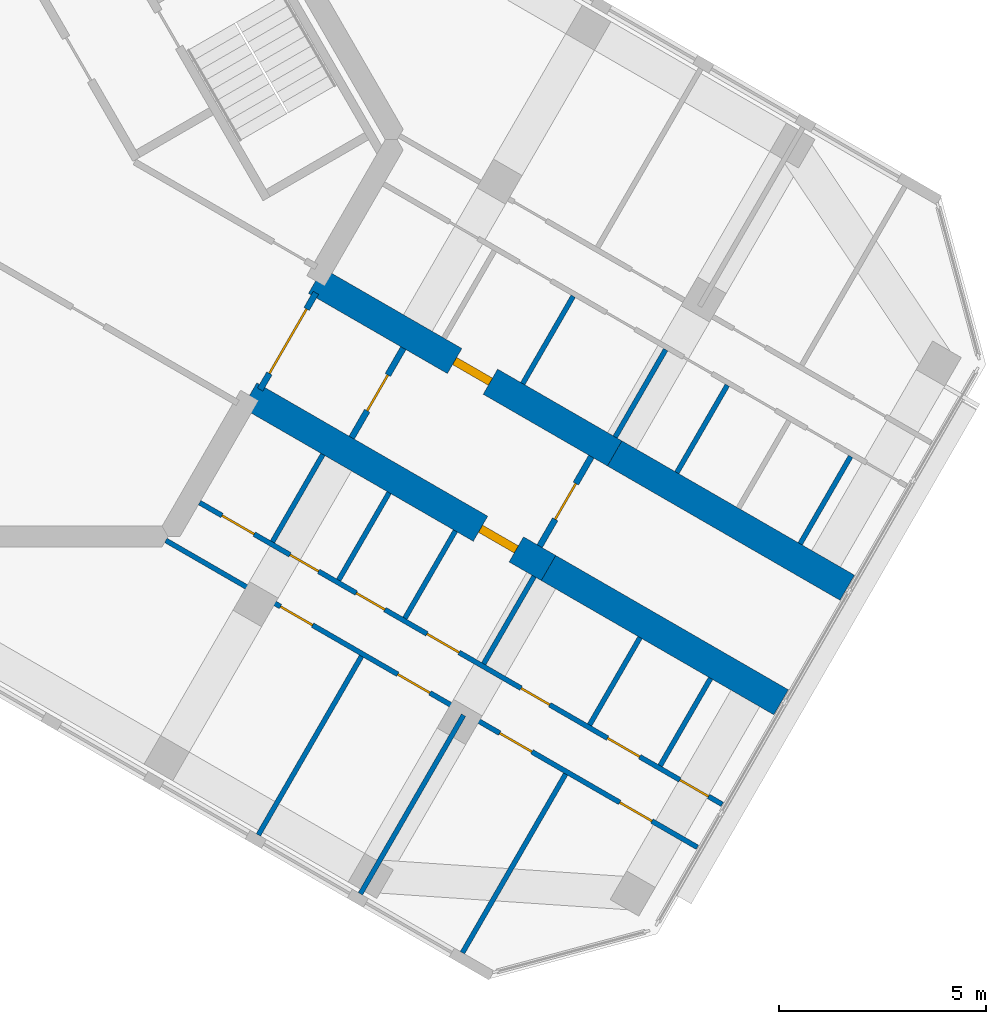
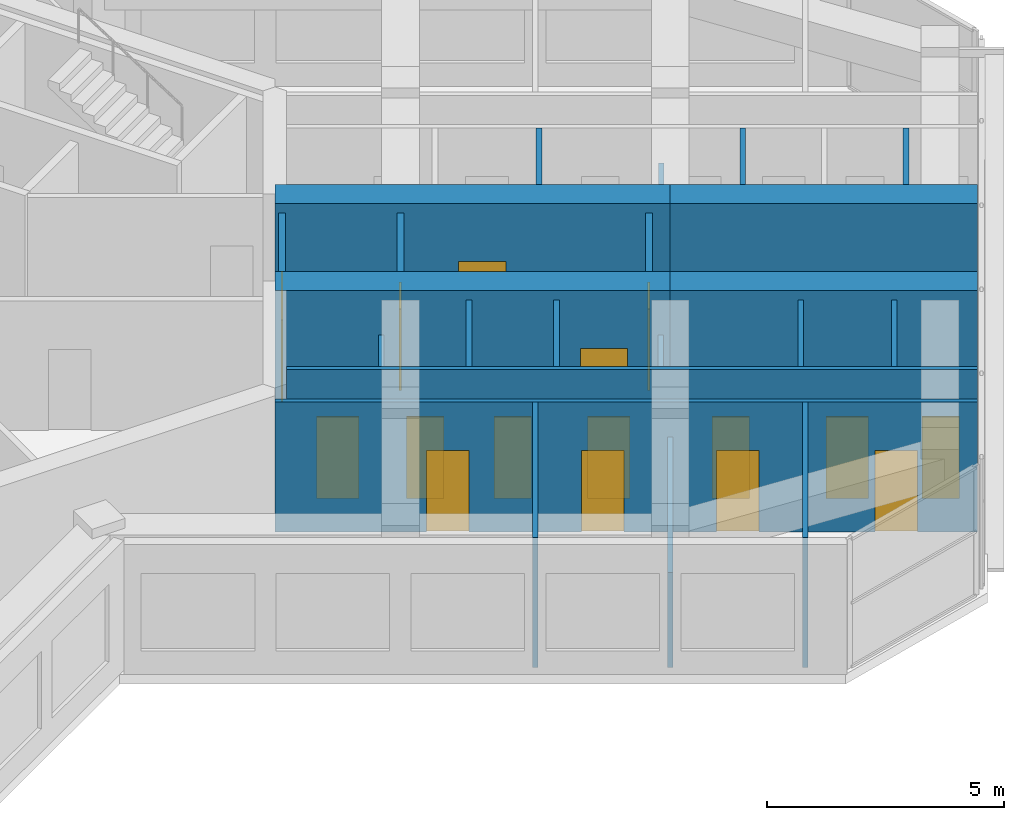
# One storey, part 10 of 14: 22 walls, 16 doors, 16 openings.
"""IFC4 building model written with IfcOpenShell, lengths in metres."""

from ifc_helpers import new_model, si_unit, direction, frame, frame_2d, origin, place, context, subcontext, project, spatial, rectangle, extrude, material, layer, layer_set, type_object, element, fill, save


model = new_model("IFC4")

# Units and contexts
model_context = context("Model", 3, precision=1e-05, world=origin(), true_north=direction((0.0, 1.0)))
body_context = subcontext(model_context, "Body", "Model", "MODEL_VIEW")
ifc_project = project(units=[si_unit("LENGTHUNIT", "METRE"), si_unit("AREAUNIT", "SQUARE_METRE"), si_unit("VOLUMEUNIT", "CUBIC_METRE"), si_unit("PLANEANGLEUNIT", "RADIAN"), si_unit("MASSUNIT", "GRAM", prefix="KILO")], contexts=[model_context])

# Site, building, storey
site_placement = place(None, origin())
site = spatial("IfcSite", under=ifc_project, at=site_placement, CompositionType="ELEMENT")
building_placement = place(site_placement, origin())
building = spatial("IfcBuilding", under=site, at=building_placement, Name="Kosmar Iwan School Tower", CompositionType="ELEMENT")
storey_placement = place(building_placement, frame((0.0, 0.0, 292.60009765625)))
storey = spatial("IfcBuildingStorey", under=building, at=storey_placement, Name="L74", CompositionType="ELEMENT", Elevation=292.60009765625)

# Wall, opening, door
ifc_material_1 = material(Name="Concrete C50/60", Category="concrete")
ifc_layer_1 = layer(ifc_material_1, 0.699951171875)
ifc_layer_set_1 = layer_set([ifc_layer_1], Name="Corridor buttress wall 700")
wall_type_1 = type_object("IfcWallType", Name="Corridor buttress wall 700", PredefinedType="SHEAR", material=ifc_layer_set_1)
wall_1_placement = place(storey_placement, frame((9.11376953125, -3.414306640625, 0.0), z_axis=(0.0, 0.0, 1.0), x_axis=(0.866026859388, -0.499997478812, 0.0)))
wall_1 = element("IfcWall", 1, at=wall_1_placement, inside=storey, type_object=wall_type_1, Name="Corridor wall CL", PredefinedType="SHEAR", context=body_context, shape_type="SweptSolid", body=[
    extrude(rectangle(XDim=8.35009765625, YDim=0.699951171875, at=frame_2d((4.175048828125, 0.0))), origin(), (0.0, 0.0, 1.0), 3.599853515625),
])
opening_1_placement = place(wall_1_placement, frame((3.8798828125, 0.0, 0.0)))
opening_1 = element("IfcOpeningElement", 2, at=opening_1_placement, cuts=wall_1, Name="Opening D1", PredefinedType="OPENING", context=body_context, shape_type="SweptSolid", body=[
    extrude(rectangle(XDim=1.0, YDim=2.10009765625, at=frame_2d((0.5, 1.050048828125))), frame((0.0, 0.362060546875, 0.0), z_axis=(0.0, -1.0, 0.0), x_axis=(1.0, 0.0, 0.0)), (0.0, 0.0, 1.0), 0.723876953125),
])
ifc_material_2 = material(Name="Timber fire door in steel frame", Category="steel")
door_type_1 = type_object("IfcDoorType", Name="Flat entrance door 1000x2100", OperationType="SINGLE_SWING_LEFT", PredefinedType="DOOR", material=ifc_material_2)
door_1_placement = place(opening_1_placement, origin())
door_1 = element("IfcDoor", 3, at=door_1_placement, inside=storey, type_object=door_type_1, Name="Flat L74-CL1 entrance door", OperationType="SINGLE_SWING_LEFT", OverallHeight=2.10009765625, OverallWidth=1.0, PredefinedType="DOOR", context=body_context, shape_type="SweptSolid", body=[
    extrude(rectangle(XDim=1.0, YDim=2.10009765625, at=frame_2d((0.5, 1.050048828125))), frame((0.0, 0.10009765625, 0.0), z_axis=(0.0, -1.0, 0.0), x_axis=(1.0, 0.0, 0.0)), (0.0, 0.0, 1.0), 0.199951171875),
])
fill(opening_1, door_1)

# Wall
wall_2_placement = place(storey_placement, frame((16.34521484375, -7.58935546875, 0.0), z_axis=(0.0, 0.0, 1.0), x_axis=(0.866018451174, -0.500012042081, 0.0)))
element("IfcWall", 4, at=wall_2_placement, inside=storey, type_object=wall_type_1, Name="Corridor wall CL bay 2", PredefinedType="SHEAR", context=body_context, shape_type="SweptSolid", body=[
    extrude(rectangle(XDim=6.494873046875, YDim=0.699951171875, at=frame_2d((3.24755859375, 0.0))), origin(), (0.0, 0.0, 1.0), 3.599853515625),
])

# Wall, opening, door
wall_3_placement = place(storey_placement, frame((7.513916015625, -6.185546875, 0.0), z_axis=(0.0, 0.0, 1.0), x_axis=(0.866019549707, -0.500010139422, 0.0)))
wall_3 = element("IfcWall", 5, at=wall_3_placement, inside=storey, type_object=wall_type_1, Name="Corridor wall CR", PredefinedType="SHEAR", context=body_context, shape_type="SweptSolid", body=[
    extrude(rectangle(XDim=8.349853515625, YDim=0.699951171875, at=frame_2d((4.1748046875, 0.0))), origin(), (0.0, 0.0, 1.0), 3.599853515625),
])
opening_2_placement = place(wall_3_placement, frame((6.449951171875, 0.0, 0.0)))
opening_2 = element("IfcOpeningElement", 6, at=opening_2_placement, cuts=wall_3, Name="Opening D1", PredefinedType="OPENING", context=body_context, shape_type="SweptSolid", body=[
    extrude(rectangle(XDim=1.0, YDim=2.10009765625, at=frame_2d((0.5, 1.050048828125))), frame((0.0, 0.362060546875, 0.0), z_axis=(0.0, -1.0, 0.0), x_axis=(1.0, 0.0, 0.0)), (0.0, 0.0, 1.0), 0.723876953125),
])
door_2_placement = place(opening_2_placement, origin())
door_2 = element("IfcDoor", 7, at=door_2_placement, inside=storey, type_object=door_type_1, Name="Flat L74-CR1 entrance door", OperationType="SINGLE_SWING_RIGHT", OverallHeight=2.10009765625, OverallWidth=1.0, PredefinedType="DOOR", context=body_context, shape_type="SweptSolid", body=[
    extrude(rectangle(XDim=1.0, YDim=2.10009765625, at=frame_2d((0.5, 1.050048828125))), frame((0.0, 0.10009765625, 0.0), z_axis=(0.0, -1.0, 0.0), x_axis=(1.0, 0.0, 0.0)), (0.0, 0.0, 1.0), 0.199951171875),
])
fill(opening_2, door_2)

# Wall
wall_4_placement = place(storey_placement, frame((14.7451171875, -10.360595703125, 0.0), z_axis=(0.0, 0.0, 1.0), x_axis=(0.866027848477, -0.499995765644, 0.0)))
element("IfcWall", 8, at=wall_4_placement, inside=storey, type_object=wall_type_1, Name="Corridor wall CR bay 2", PredefinedType="SHEAR", context=body_context, shape_type="SweptSolid", body=[
    extrude(rectangle(XDim=6.4951171875, YDim=0.699951171875, at=frame_2d((3.24755859375, 0.0))), origin(), (0.0, 0.0, 1.0), 3.599853515625),
])

# Wall, opening, door
ifc_material_3 = material(Name="Gypsum board on steel studs, fire-rated", Category="steel")
ifc_layer_2 = layer(ifc_material_3, 0.14990234375)
ifc_layer_set_2 = layer_set([ifc_layer_2], Name="Corridor end wall 150")
wall_type_2 = type_object("IfcWallType", Name="Corridor end wall 150", PredefinedType="PARTITIONING", material=ifc_layer_set_2)
wall_5_placement = place(storey_placement, frame((14.530517578125, -9.83251953125, 0.0), z_axis=(0.0, 0.0, 1.0), x_axis=(0.500004234368, 0.866022959057, 0.0)))
wall_5 = element("IfcWall", 9, at=wall_5_placement, inside=storey, type_object=wall_type_2, Name="Partition L74-C-CE", PredefinedType="PARTITIONING", context=body_context, shape_type="SweptSolid", body=[
    extrude(rectangle(XDim=2.5, YDim=0.14990234375, at=frame_2d((1.25, 0.0))), origin(), (0.0, 0.0, 1.0), 3.349853515625),
])
opening_3_placement = place(wall_5_placement, frame((0.75, 0.0, 0.0)))
opening_3 = element("IfcOpeningElement", 10, at=opening_3_placement, cuts=wall_5, Name="Opening D13", PredefinedType="OPENING", context=body_context, shape_type="SweptSolid", body=[
    extrude(rectangle(XDim=1.0, YDim=2.10009765625, at=frame_2d((0.5, 1.050048828125))), frame((0.0, 0.0869140625, 0.0), z_axis=(0.0, -1.0, 0.0), x_axis=(1.0, 0.0, 0.0)), (0.0, 0.0, 1.0), 0.173828125),
])
ifc_material_4 = material(Name="Timber fire door with vision panel", Category="wood")
door_type_2 = type_object("IfcDoorType", Name="Corridor end door 1000x2100", OperationType="SINGLE_SWING_LEFT", PredefinedType="DOOR", material=ifc_material_4)
door_3_placement = place(opening_3_placement, origin())
door_3 = element("IfcDoor", 11, at=door_3_placement, inside=storey, type_object=door_type_2, Name="Reading room door L74-C", OperationType="SINGLE_SWING_RIGHT", OverallHeight=2.10009765625, OverallWidth=1.0, PredefinedType="DOOR", context=body_context, shape_type="SweptSolid", body=[
    extrude(rectangle(XDim=1.0, YDim=2.10009765625, at=frame_2d((0.5, 1.050048828125))), frame((0.0, 0.02490234375, 0.0), z_axis=(0.0, -1.0, 0.0), x_axis=(1.0, 0.0, 0.0)), (0.0, 0.0, 1.0), 0.050048828125),
])
fill(opening_3, door_3)

wall_6_placement = place(storey_placement, frame((9.98388671875, -7.20751953125, 0.0), z_axis=(0.0, 0.0, 1.0), x_axis=(0.500004234368, 0.866022959057, 0.0)))
wall_6 = element("IfcWall", 12, at=wall_6_placement, inside=storey, type_object=wall_type_2, Name="Partition L74-C-HW", PredefinedType="PARTITIONING", context=body_context, shape_type="SweptSolid", body=[
    extrude(rectangle(XDim=2.5, YDim=0.14990234375, at=frame_2d((1.25, 0.0))), origin(), (0.0, 0.0, 1.0), 3.349853515625),
])
opening_4_placement = place(wall_6_placement, frame((0.75, 0.0, 0.0)))
opening_4 = element("IfcOpeningElement", 13, at=opening_4_placement, cuts=wall_6, Name="Opening D13", PredefinedType="OPENING", context=body_context, shape_type="SweptSolid", body=[
    extrude(rectangle(XDim=1.0, YDim=2.10009765625, at=frame_2d((0.5, 1.050048828125))), frame((0.0, 0.0869140625, 0.0), z_axis=(0.0, -1.0, 0.0), x_axis=(1.0, 0.0, 0.0)), (0.0, 0.0, 1.0), 0.173828125),
])
door_4_placement = place(opening_4_placement, origin())
door_4 = element("IfcDoor", 14, at=door_4_placement, inside=storey, type_object=door_type_2, Name="Entrance door L74-C", OperationType="SINGLE_SWING_LEFT", OverallHeight=2.10009765625, OverallWidth=1.0, PredefinedType="DOOR", context=body_context, shape_type="SweptSolid", body=[
    extrude(rectangle(XDim=1.0, YDim=2.10009765625, at=frame_2d((0.5, 1.050048828125))), frame((0.0, 0.02490234375, 0.0), z_axis=(0.0, -1.0, 0.0), x_axis=(1.0, 0.0, 0.0)), (0.0, 0.0, 1.0), 0.050048828125),
])
fill(opening_4, door_4)

ifc_material_5 = material(Name="Steel framed glazed screen", Category="steel")
ifc_layer_3 = layer(ifc_material_5, 0.14990234375)
ifc_layer_set_3 = layer_set([ifc_layer_3], Name="Corridor screen wall 150")
wall_type_3 = type_object("IfcWallType", Name="Corridor screen wall 150", PredefinedType="PARTITIONING", material=ifc_layer_set_3)
wall_7_placement = place(storey_placement, frame((7.768798828125, -6.044189453125, 0.0), z_axis=(0.0, 0.0, 1.0), x_axis=(0.4999416173, 0.866059108428, 0.0)))
wall_7 = element("IfcWall", 15, at=wall_7_placement, inside=storey, type_object=wall_type_3, Name="Corridor screen C L74", PredefinedType="PARTITIONING", context=body_context, shape_type="SweptSolid", body=[
    extrude(rectangle(XDim=2.699951171875, YDim=0.14990234375, at=frame_2d((1.35009765625, 0.0))), origin(), (0.0, 0.0, 1.0), 3.349853515625),
])
opening_5_placement = place(wall_7_placement, frame((0.449951171875, 0.0, 0.0)))
opening_5 = element("IfcOpeningElement", 16, at=opening_5_placement, cuts=wall_7, Name="Opening D9", PredefinedType="OPENING", context=body_context, shape_type="SweptSolid", body=[
    extrude(rectangle(XDim=1.800048828125, YDim=2.10009765625, at=frame_2d((0.89990234375, 1.050048828125))), frame((0.0, 0.0869140625, 0.0), z_axis=(0.0, -1.0, 0.0), x_axis=(1.0, 0.0, 0.0)), (0.0, 0.0, 1.0), 0.173828125),
])
ifc_material_6 = material(Name="Steel framed glazed smoke door", Category="steel")
door_type_3 = type_object("IfcDoorType", Name="Corridor smoke door pair 1800x2100", OperationType="DOUBLE_DOOR_DOUBLE_SWING", PredefinedType="DOOR", material=ifc_material_6)
door_5_placement = place(opening_5_placement, origin())
door_5 = element("IfcDoor", 17, at=door_5_placement, inside=storey, type_object=door_type_3, Name="Corridor doors C L74", OperationType="DOUBLE_DOOR_DOUBLE_SWING", OverallHeight=2.10009765625, OverallWidth=1.800048828125, PredefinedType="DOOR", context=body_context, shape_type="SweptSolid", body=[
    extrude(rectangle(XDim=1.800048828125, YDim=2.10009765625, at=frame_2d((0.89990234375, 1.050048828125))), frame((0.0, 0.02490234375, 0.0), z_axis=(0.0, -1.0, 0.0), x_axis=(1.0, 0.0, 0.0)), (0.0, 0.0, 1.0), 0.050048828125),
])
fill(opening_5, door_5)

# Walls
ifc_material_7 = material(Name="Gypsum board on steel studs", Category="steel")
ifc_layer_4 = layer(ifc_material_7, 0.1201171875)
ifc_layer_set_4 = layer_set([ifc_layer_4], Name="Dwelling partition 120")
wall_type_4 = type_object("IfcWallType", Name="Dwelling partition 120", PredefinedType="PARTITIONING", material=ifc_layer_set_4)
wall_8_placement = place(storey_placement, frame((14.121337890625, -5.9013671875, 0.0), z_axis=(0.0, 0.0, 1.0), x_axis=(0.499959183527, 0.866048967903, 0.0)))
element("IfcWall", 18, at=wall_8_placement, inside=storey, type_object=wall_type_4, Name="Partition L74-CL1-Y2", PredefinedType="PARTITIONING", context=body_context, shape_type="SweptSolid", body=[
    extrude(rectangle(XDim=2.440185546875, YDim=0.1201171875, at=frame_2d((1.22021484375, 0.0))), origin(), (0.0, 0.0, 1.0), 3.349853515625),
])
wall_9_placement = place(storey_placement, frame((16.35791015625, -7.192626953125, 0.0), z_axis=(0.0, 0.0, 1.0), x_axis=(0.500002508028, 0.866023955769, 0.0)))
element("IfcWall", 19, at=wall_9_placement, inside=storey, type_object=wall_type_4, Name="Partition L74-CL1-Y3", PredefinedType="PARTITIONING", context=body_context, shape_type="SweptSolid", body=[
    extrude(rectangle(XDim=2.43994140625, YDim=0.1201171875, at=frame_2d((1.219970703125, 0.0))), origin(), (0.0, 0.0, 1.0), 2.449951171875),
])
wall_10_placement = place(storey_placement, frame((17.84912109375, -8.053466796875, 0.0), z_axis=(0.0, 0.0, 1.0), x_axis=(0.500002508028, 0.866023955769, 0.0)))
element("IfcWall", 20, at=wall_10_placement, inside=storey, type_object=wall_type_4, Name="Partition L74-CL1-Y4", PredefinedType="PARTITIONING", context=body_context, shape_type="SweptSolid", body=[
    extrude(rectangle(XDim=2.43994140625, YDim=0.1201171875, at=frame_2d((1.219970703125, 0.0))), origin(), (0.0, 0.0, 1.0), 3.349853515625),
])
wall_11_placement = place(storey_placement, frame((20.831298828125, -9.775390625, 0.0), z_axis=(0.0, 0.0, 1.0), x_axis=(0.500034220881, 0.866005645448, 0.0)))
element("IfcWall", 21, at=wall_11_placement, inside=storey, type_object=wall_type_4, Name="Partition L74-CL1-Y6", PredefinedType="PARTITIONING", context=body_context, shape_type="SweptSolid", body=[
    extrude(rectangle(XDim=2.440185546875, YDim=0.1201171875, at=frame_2d((1.22021484375, 0.0))), origin(), (0.0, 0.0, 1.0), 3.349853515625),
])

# Wall, openings, doors
wall_12_placement = place(storey_placement, frame((6.305419921875, -8.77880859375, 0.0), z_axis=(0.0, 0.0, 1.0), x_axis=(0.866022348096, -0.50000529257, 0.0)))
wall_12 = element("IfcWall", 22, at=wall_12_placement, inside=storey, type_object=wall_type_4, Name="Partition L74-CR1-W1", PredefinedType="PARTITIONING", context=body_context, shape_type="SweptSolid", body=[
    extrude(rectangle(XDim=14.594970703125, YDim=0.1201171875, at=frame_2d((7.29736328125, 0.0))), origin(), (0.0, 0.0, 1.0), 3.349853515625),
])
opening_6_placement = place(wall_12_placement, frame((0.625, 0.0, 0.0)))
opening_6 = element("IfcOpeningElement", 23, at=opening_6_placement, cuts=wall_12, Name="Opening D2", PredefinedType="OPENING", context=body_context, shape_type="SweptSolid", body=[
    extrude(rectangle(XDim=0.89990234375, YDim=2.10009765625, at=frame_2d((0.449951171875, 1.050048828125))), frame((0.0, 0.072021484375, 0.0), z_axis=(0.0, -1.0, 0.0), x_axis=(1.0, 0.0, 0.0)), (0.0, 0.0, 1.0), 0.14404296875),
])
opening_7_placement = place(wall_12_placement, frame((2.52490234375, 0.0, 0.0)))
opening_7 = element("IfcOpeningElement", 24, at=opening_7_placement, cuts=wall_12, Name="Opening D3", PredefinedType="OPENING", context=body_context, shape_type="SweptSolid", body=[
    extrude(rectangle(XDim=0.800048828125, YDim=2.10009765625, at=frame_2d((0.39990234375, 1.050048828125))), frame((0.0, 0.072021484375, 0.0), z_axis=(0.0, -1.0, 0.0), x_axis=(1.0, 0.0, 0.0)), (0.0, 0.0, 1.0), 0.14404296875),
])
opening_8_placement = place(wall_12_placement, frame((4.375, 0.0, 0.0)))
opening_8 = element("IfcOpeningElement", 25, at=opening_8_placement, cuts=wall_12, Name="Opening D3", PredefinedType="OPENING", context=body_context, shape_type="SweptSolid", body=[
    extrude(rectangle(XDim=0.800048828125, YDim=2.10009765625, at=frame_2d((0.39990234375, 1.050048828125))), frame((0.0, 0.072021484375, 0.0), z_axis=(0.0, -1.0, 0.0), x_axis=(1.0, 0.0, 0.0)), (0.0, 0.0, 1.0), 0.14404296875),
])
opening_9_placement = place(wall_12_placement, frame((6.35009765625, 0.0, 0.0)))
opening_9 = element("IfcOpeningElement", 26, at=opening_9_placement, cuts=wall_12, Name="Opening D2", PredefinedType="OPENING", context=body_context, shape_type="SweptSolid", body=[
    extrude(rectangle(XDim=0.89990234375, YDim=2.10009765625, at=frame_2d((0.449951171875, 1.050048828125))), frame((0.0, 0.072021484375, 0.0), z_axis=(0.0, -1.0, 0.0), x_axis=(1.0, 0.0, 0.0)), (0.0, 0.0, 1.0), 0.14404296875),
])
opening_10_placement = place(wall_12_placement, frame((8.978515625, 0.0, 0.0)))
opening_10 = element("IfcOpeningElement", 27, at=opening_10_placement, cuts=wall_12, Name="Opening D3", PredefinedType="OPENING", context=body_context, shape_type="SweptSolid", body=[
    extrude(rectangle(XDim=0.800048828125, YDim=2.10009765625, at=frame_2d((0.39990234375, 1.050048828125))), frame((0.0, 0.072021484375, 0.0), z_axis=(0.0, -1.0, 0.0), x_axis=(1.0, 0.0, 0.0)), (0.0, 0.0, 1.0), 0.14404296875),
])
opening_11_placement = place(wall_12_placement, frame((11.392822265625, 0.0, 0.0)))
opening_11 = element("IfcOpeningElement", 28, at=opening_11_placement, cuts=wall_12, Name="Opening D2", PredefinedType="OPENING", context=body_context, shape_type="SweptSolid", body=[
    extrude(rectangle(XDim=0.89990234375, YDim=2.10009765625, at=frame_2d((0.449951171875, 1.050048828125))), frame((0.0, 0.072021484375, 0.0), z_axis=(0.0, -1.0, 0.0), x_axis=(1.0, 0.0, 0.0)), (0.0, 0.0, 1.0), 0.14404296875),
])
opening_12_placement = place(wall_12_placement, frame((13.414306640625, 0.0, 0.0)))
opening_12 = element("IfcOpeningElement", 29, at=opening_12_placement, cuts=wall_12, Name="Opening D3", PredefinedType="OPENING", context=body_context, shape_type="SweptSolid", body=[
    extrude(rectangle(XDim=0.800048828125, YDim=2.10009765625, at=frame_2d((0.39990234375, 1.050048828125))), frame((0.0, 0.072021484375, 0.0), z_axis=(0.0, -1.0, 0.0), x_axis=(1.0, 0.0, 0.0)), (0.0, 0.0, 1.0), 0.14404296875),
])
ifc_material_8 = material(Name="Timber door in timber frame", Category="wood")
door_type_4 = type_object("IfcDoorType", Name="Internal door 900x2100", OperationType="SINGLE_SWING_LEFT", PredefinedType="DOOR", material=ifc_material_8)
door_6_placement = place(opening_6_placement, origin())
door_6 = element("IfcDoor", 30, at=door_6_placement, inside=storey, type_object=door_type_4, Name="Utility room door L74-CR1-S1", OperationType="SINGLE_SWING_LEFT", OverallHeight=2.10009765625, OverallWidth=0.89990234375, PredefinedType="DOOR", context=body_context, shape_type="SweptSolid", body=[
    extrude(rectangle(XDim=0.89990234375, YDim=2.10009765625, at=frame_2d((0.449951171875, 1.050048828125))), frame((0.0, 0.02490234375, 0.0), z_axis=(0.0, -1.0, 0.0), x_axis=(1.0, 0.0, 0.0)), (0.0, 0.0, 1.0), 0.050048828125),
])
fill(opening_6, door_6)
door_7_placement = place(opening_9_placement, origin())
door_7 = element("IfcDoor", 31, at=door_7_placement, inside=storey, type_object=door_type_4, Name="Entrance hall door L74-CR1-S4", OperationType="SINGLE_SWING_RIGHT", OverallHeight=2.10009765625, OverallWidth=0.89990234375, PredefinedType="DOOR", context=body_context, shape_type="SweptSolid", body=[
    extrude(rectangle(XDim=0.89990234375, YDim=2.10009765625, at=frame_2d((0.449951171875, 1.050048828125))), frame((0.0, 0.02490234375, 0.0), z_axis=(0.0, -1.0, 0.0), x_axis=(1.0, 0.0, 0.0)), (0.0, 0.0, 1.0), 0.050048828125),
])
fill(opening_9, door_7)
door_8_placement = place(opening_11_placement, origin())
door_8 = element("IfcDoor", 32, at=door_8_placement, inside=storey, type_object=door_type_4, Name="Pantry door L74-CR1-S6", OperationType="SINGLE_SWING_RIGHT", OverallHeight=2.10009765625, OverallWidth=0.89990234375, PredefinedType="DOOR", context=body_context, shape_type="SweptSolid", body=[
    extrude(rectangle(XDim=0.89990234375, YDim=2.10009765625, at=frame_2d((0.449951171875, 1.050048828125))), frame((0.0, 0.02490234375, 0.0), z_axis=(0.0, -1.0, 0.0), x_axis=(1.0, 0.0, 0.0)), (0.0, 0.0, 1.0), 0.050048828125),
])
fill(opening_11, door_8)
ifc_material_9 = material(Name="Timber door in timber frame", Category="wood")
door_type_5 = type_object("IfcDoorType", Name="Sanitary room door 800x2100", OperationType="SINGLE_SWING_LEFT", PredefinedType="DOOR", material=ifc_material_9)
door_9_placement = place(opening_7_placement, origin())
door_9 = element("IfcDoor", 33, at=door_9_placement, inside=storey, type_object=door_type_5, Name="WC door L74-CR1-S2", OperationType="SINGLE_SWING_RIGHT", OverallHeight=2.10009765625, OverallWidth=0.800048828125, PredefinedType="DOOR", context=body_context, shape_type="SweptSolid", body=[
    extrude(rectangle(XDim=0.800048828125, YDim=2.10009765625, at=frame_2d((0.39990234375, 1.050048828125))), frame((0.0, 0.02490234375, 0.0), z_axis=(0.0, -1.0, 0.0), x_axis=(1.0, 0.0, 0.0)), (0.0, 0.0, 1.0), 0.050048828125),
])
fill(opening_7, door_9)
door_10_placement = place(opening_8_placement, origin())
door_10 = element("IfcDoor", 34, at=door_10_placement, inside=storey, type_object=door_type_5, Name="Shower room door L74-CR1-S3", OperationType="SINGLE_SWING_LEFT", OverallHeight=2.10009765625, OverallWidth=0.800048828125, PredefinedType="DOOR", context=body_context, shape_type="SweptSolid", body=[
    extrude(rectangle(XDim=0.800048828125, YDim=2.10009765625, at=frame_2d((0.39990234375, 1.050048828125))), frame((0.0, 0.02490234375, 0.0), z_axis=(0.0, -1.0, 0.0), x_axis=(1.0, 0.0, 0.0)), (0.0, 0.0, 1.0), 0.050048828125),
])
fill(opening_8, door_10)
door_11_placement = place(opening_10_placement, origin())
door_11 = element("IfcDoor", 35, at=door_11_placement, inside=storey, type_object=door_type_5, Name="Bathroom door L74-CR1-S5", OperationType="SINGLE_SWING_LEFT", OverallHeight=2.10009765625, OverallWidth=0.800048828125, PredefinedType="DOOR", context=body_context, shape_type="SweptSolid", body=[
    extrude(rectangle(XDim=0.800048828125, YDim=2.10009765625, at=frame_2d((0.39990234375, 1.050048828125))), frame((0.0, 0.02490234375, 0.0), z_axis=(0.0, -1.0, 0.0), x_axis=(1.0, 0.0, 0.0)), (0.0, 0.0, 1.0), 0.050048828125),
])
fill(opening_10, door_11)
door_12_placement = place(opening_12_placement, origin())
door_12 = element("IfcDoor", 36, at=door_12_placement, inside=storey, type_object=door_type_5, Name="Store door L74-CR1-S7", OperationType="SINGLE_SWING_RIGHT", OverallHeight=2.10009765625, OverallWidth=0.800048828125, PredefinedType="DOOR", context=body_context, shape_type="SweptSolid", body=[
    extrude(rectangle(XDim=0.800048828125, YDim=2.10009765625, at=frame_2d((0.39990234375, 1.050048828125))), frame((0.0, 0.02490234375, 0.0), z_axis=(0.0, -1.0, 0.0), x_axis=(1.0, 0.0, 0.0)), (0.0, 0.0, 1.0), 0.050048828125),
])
fill(opening_12, door_12)

wall_13_placement = place(storey_placement, frame((5.48876953125, -9.693115234375, 0.0), z_axis=(0.0, 0.0, 1.0), x_axis=(0.866030301974, -0.499991515992, 0.0)))
wall_13 = element("IfcWall", 37, at=wall_13_placement, inside=storey, type_object=wall_type_4, Name="Partition L74-CR1-W2", PredefinedType="PARTITIONING", context=body_context, shape_type="SweptSolid", body=[
    extrude(rectangle(XDim=14.844970703125, YDim=0.1201171875, at=frame_2d((7.42236328125, 0.0))), origin(), (0.0, 0.0, 1.0), 3.349853515625),
])
opening_13_placement = place(wall_13_placement, frame((3.199951171875, 0.0, 0.0)))
opening_13 = element("IfcOpeningElement", 38, at=opening_13_placement, cuts=wall_13, Name="Opening D2", PredefinedType="OPENING", context=body_context, shape_type="SweptSolid", body=[
    extrude(rectangle(XDim=0.89990234375, YDim=2.10009765625, at=frame_2d((0.449951171875, 1.050048828125))), frame((0.0, 0.072021484375, 0.0), z_axis=(0.0, -1.0, 0.0), x_axis=(1.0, 0.0, 0.0)), (0.0, 0.0, 1.0), 0.14404296875),
])
opening_14_placement = place(wall_13_placement, frame((6.47509765625, 0.0, 0.0)))
opening_14 = element("IfcOpeningElement", 39, at=opening_14_placement, cuts=wall_13, Name="Opening D2", PredefinedType="OPENING", context=body_context, shape_type="SweptSolid", body=[
    extrude(rectangle(XDim=0.89990234375, YDim=2.10009765625, at=frame_2d((0.449951171875, 1.050048828125))), frame((0.0, 0.072021484375, 0.0), z_axis=(0.0, -1.0, 0.0), x_axis=(1.0, 0.0, 0.0)), (0.0, 0.0, 1.0), 0.14404296875),
])
opening_15_placement = place(wall_13_placement, frame((9.324951171875, 0.0, 0.0)))
opening_15 = element("IfcOpeningElement", 40, at=opening_15_placement, cuts=wall_13, Name="Opening D2", PredefinedType="OPENING", context=body_context, shape_type="SweptSolid", body=[
    extrude(rectangle(XDim=0.89990234375, YDim=2.10009765625, at=frame_2d((0.449951171875, 1.050048828125))), frame((0.0, 0.072021484375, 0.0), z_axis=(0.0, -1.0, 0.0), x_axis=(1.0, 0.0, 0.0)), (0.0, 0.0, 1.0), 0.14404296875),
])
opening_16_placement = place(wall_13_placement, frame((12.675048828125, 0.0, 0.0)))
opening_16 = element("IfcOpeningElement", 41, at=opening_16_placement, cuts=wall_13, Name="Opening D2", PredefinedType="OPENING", context=body_context, shape_type="SweptSolid", body=[
    extrude(rectangle(XDim=0.89990234375, YDim=2.10009765625, at=frame_2d((0.449951171875, 1.050048828125))), frame((0.0, 0.072021484375, 0.0), z_axis=(0.0, -1.0, 0.0), x_axis=(1.0, 0.0, 0.0)), (0.0, 0.0, 1.0), 0.14404296875),
])
door_13_placement = place(opening_13_placement, origin())
door_13 = element("IfcDoor", 42, at=door_13_placement, inside=storey, type_object=door_type_4, Name="Kitchen and dining room door L74-CR1-F1", OperationType="SINGLE_SWING_LEFT", OverallHeight=2.10009765625, OverallWidth=0.89990234375, PredefinedType="DOOR", context=body_context, shape_type="SweptSolid", body=[
    extrude(rectangle(XDim=0.89990234375, YDim=2.10009765625, at=frame_2d((0.449951171875, 1.050048828125))), frame((0.0, 0.02490234375, 0.0), z_axis=(0.0, -1.0, 0.0), x_axis=(1.0, 0.0, 0.0)), (0.0, 0.0, 1.0), 0.050048828125),
])
fill(opening_13, door_13)
door_14_placement = place(opening_14_placement, origin())
door_14 = element("IfcDoor", 43, at=door_14_placement, inside=storey, type_object=door_type_4, Name="Living room door L74-CR1-F2", OperationType="SINGLE_SWING_LEFT", OverallHeight=2.10009765625, OverallWidth=0.89990234375, PredefinedType="DOOR", context=body_context, shape_type="SweptSolid", body=[
    extrude(rectangle(XDim=0.89990234375, YDim=2.10009765625, at=frame_2d((0.449951171875, 1.050048828125))), frame((0.0, 0.02490234375, 0.0), z_axis=(0.0, -1.0, 0.0), x_axis=(1.0, 0.0, 0.0)), (0.0, 0.0, 1.0), 0.050048828125),
])
fill(opening_14, door_14)
door_15_placement = place(opening_15_placement, origin())
door_15 = element("IfcDoor", 44, at=door_15_placement, inside=storey, type_object=door_type_4, Name="Bedroom 2 door L74-CR1-F3", OperationType="SINGLE_SWING_RIGHT", OverallHeight=2.10009765625, OverallWidth=0.89990234375, PredefinedType="DOOR", context=body_context, shape_type="SweptSolid", body=[
    extrude(rectangle(XDim=0.89990234375, YDim=2.10009765625, at=frame_2d((0.449951171875, 1.050048828125))), frame((0.0, 0.02490234375, 0.0), z_axis=(0.0, -1.0, 0.0), x_axis=(1.0, 0.0, 0.0)), (0.0, 0.0, 1.0), 0.050048828125),
])
fill(opening_15, door_15)
door_16_placement = place(opening_16_placement, origin())
door_16 = element("IfcDoor", 45, at=door_16_placement, inside=storey, type_object=door_type_4, Name="Bedroom 1 door L74-CR1-F4", OperationType="SINGLE_SWING_RIGHT", OverallHeight=2.10009765625, OverallWidth=0.89990234375, PredefinedType="DOOR", context=body_context, shape_type="SweptSolid", body=[
    extrude(rectangle(XDim=0.89990234375, YDim=2.10009765625, at=frame_2d((0.449951171875, 1.050048828125))), frame((0.0, 0.02490234375, 0.0), z_axis=(0.0, -1.0, 0.0), x_axis=(1.0, 0.0, 0.0)), (0.0, 0.0, 1.0), 0.050048828125),
])
fill(opening_16, door_16)

# Walls
wall_14_placement = place(storey_placement, frame((10.221923828125, -12.4951171875, 0.0), z_axis=(0.0, 0.0, 1.0), x_axis=(-0.499996339024, -0.86602751744, 0.0)))
element("IfcWall", 46, at=wall_14_placement, inside=storey, type_object=wall_type_4, Name="Partition L74-CR1-X1", PredefinedType="PARTITIONING", context=body_context, shape_type="SweptSolid", body=[
    extrude(rectangle(XDim=4.98974609375, YDim=0.1201171875, at=frame_2d((2.494873046875, 0.0))), origin(), (0.0, 0.0, 1.0), 3.349853515625),
])
wall_15_placement = place(storey_placement, frame((12.690185546875, -13.919921875, 0.0), z_axis=(0.0, 0.0, 1.0), x_axis=(-0.500011847778, -0.866018563358, 0.0)))
element("IfcWall", 47, at=wall_15_placement, inside=storey, type_object=wall_type_4, Name="Partition L74-CR1-X2", PredefinedType="PARTITIONING", context=body_context, shape_type="SweptSolid", body=[
    extrude(rectangle(XDim=4.990234375, YDim=0.1201171875, at=frame_2d((2.4951171875, 0.0))), origin(), (0.0, 0.0, 1.0), 2.449951171875),
])
wall_16_placement = place(storey_placement, frame((15.158447265625, -15.344970703125, 0.0), z_axis=(0.0, 0.0, 1.0), x_axis=(-0.500011847778, -0.866018563358, 0.0)))
element("IfcWall", 48, at=wall_16_placement, inside=storey, type_object=wall_type_4, Name="Partition L74-CR1-X3", PredefinedType="PARTITIONING", context=body_context, shape_type="SweptSolid", body=[
    extrude(rectangle(XDim=4.990234375, YDim=0.1201171875, at=frame_2d((2.4951171875, 0.0))), origin(), (0.0, 0.0, 1.0), 3.349853515625),
])
wall_17_placement = place(storey_placement, frame((9.287353515625, -7.61376953125, 0.0), z_axis=(0.0, 0.0, 1.0), x_axis=(-0.500002508028, -0.866023955769, 0.0)))
element("IfcWall", 49, at=wall_17_placement, inside=storey, type_object=wall_type_4, Name="Partition L74-CR1-Y1", PredefinedType="PARTITIONING", context=body_context, shape_type="SweptSolid", body=[
    extrude(rectangle(XDim=2.43994140625, YDim=0.1201171875, at=frame_2d((1.219970703125, 0.0))), origin(), (0.0, 0.0, 1.0), 2.449951171875),
])
wall_18_placement = place(storey_placement, frame((10.8896484375, -8.538818359375, 0.0), z_axis=(0.0, 0.0, 1.0), x_axis=(-0.500077547548, -0.865980627057, 0.0)))
element("IfcWall", 50, at=wall_18_placement, inside=storey, type_object=wall_type_4, Name="Partition L74-CR1-Y2", PredefinedType="PARTITIONING", context=body_context, shape_type="SweptSolid", body=[
    extrude(rectangle(XDim=2.43994140625, YDim=0.1201171875, at=frame_2d((1.219970703125, 0.0))), origin(), (0.0, 0.0, 1.0), 3.349853515625),
])
wall_19_placement = place(storey_placement, frame((12.49169921875, -9.463623046875, 0.0), z_axis=(0.0, 0.0, 1.0), x_axis=(-0.499959183527, -0.866048967903, 0.0)))
element("IfcWall", 51, at=wall_19_placement, inside=storey, type_object=wall_type_4, Name="Partition L74-CR1-Y3", PredefinedType="PARTITIONING", context=body_context, shape_type="SweptSolid", body=[
    extrude(rectangle(XDim=2.440185546875, YDim=0.1201171875, at=frame_2d((1.22021484375, 0.0))), origin(), (0.0, 0.0, 1.0), 3.349853515625),
])
wall_20_placement = place(storey_placement, frame((14.39697265625, -10.563720703125, 0.0), z_axis=(0.0, 0.0, 1.0), x_axis=(-0.500002508028, -0.866023955769, 0.0)))
element("IfcWall", 52, at=wall_20_placement, inside=storey, type_object=wall_type_4, Name="Partition L74-CR1-Y4", PredefinedType="PARTITIONING", context=body_context, shape_type="SweptSolid", body=[
    extrude(rectangle(XDim=2.43994140625, YDim=0.1201171875, at=frame_2d((1.219970703125, 0.0))), origin(), (0.0, 0.0, 1.0), 2.449951171875),
])
wall_21_placement = place(storey_placement, frame((16.9580078125, -12.042236328125, 0.0), z_axis=(0.0, 0.0, 1.0), x_axis=(-0.500034220881, -0.866005645448, 0.0)))
element("IfcWall", 53, at=wall_21_placement, inside=storey, type_object=wall_type_4, Name="Partition L74-CR1-Y5", PredefinedType="PARTITIONING", context=body_context, shape_type="SweptSolid", body=[
    extrude(rectangle(XDim=2.440185546875, YDim=0.1201171875, at=frame_2d((1.22021484375, 0.0))), origin(), (0.0, 0.0, 1.0), 3.349853515625),
])
wall_22_placement = place(storey_placement, frame((18.665283203125, -13.028076171875, 0.0), z_axis=(0.0, 0.0, 1.0), x_axis=(-0.500002508028, -0.866023955769, 0.0)))
element("IfcWall", 54, at=wall_22_placement, inside=storey, type_object=wall_type_4, Name="Partition L74-CR1-Y6", PredefinedType="PARTITIONING", context=body_context, shape_type="SweptSolid", body=[
    extrude(rectangle(XDim=2.43994140625, YDim=0.1201171875, at=frame_2d((1.219970703125, 0.0))), origin(), (0.0, 0.0, 1.0), 3.349853515625),
])

save(model, "model.ifc")
